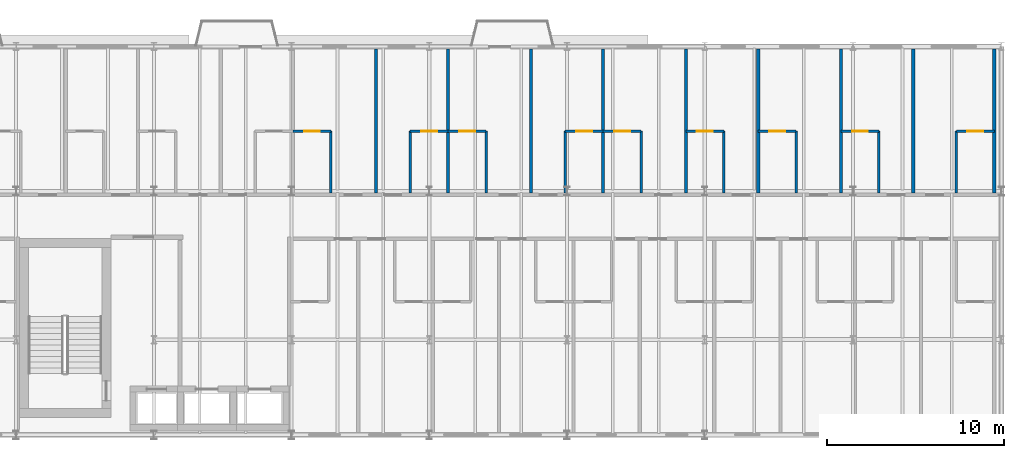
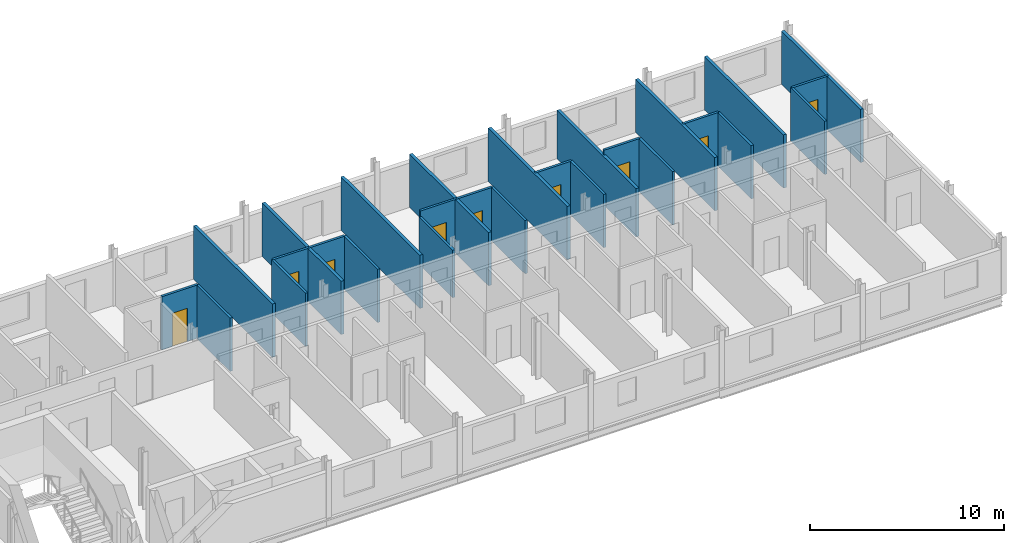
# One storey, part 31 of 36: 27 walls, 9 doors, 9 openings.
"""IFC4 building model written with IfcOpenShell, lengths in metres."""

from ifc_helpers import new_model, si_unit, direction, frame, frame_2d, origin, place, context, subcontext, project, spatial, rectangle, extrude, material, layer, layer_set, type_object, element, fill, save


model = new_model("IFC4")

# Units and contexts
model_context = context("Model", 3, precision=1e-05, world=origin(), true_north=direction((0.0, 1.0)))
body_context = subcontext(model_context, "Body", "Model", "MODEL_VIEW")
ifc_project = project(units=[si_unit("LENGTHUNIT", "METRE"), si_unit("AREAUNIT", "SQUARE_METRE"), si_unit("VOLUMEUNIT", "CUBIC_METRE"), si_unit("PLANEANGLEUNIT", "RADIAN"), si_unit("MASSUNIT", "GRAM", prefix="KILO")], contexts=[model_context])

# Site, building, storey
site_placement = place(None, origin())
site = spatial("IfcSite", under=ifc_project, at=site_placement, CompositionType="ELEMENT")
building_placement = place(site_placement, origin())
building = spatial("IfcBuilding", under=site, at=building_placement, Name="Sefraquen Railside Congress Hotel", CompositionType="ELEMENT")
storey_placement = place(building_placement, frame((0.0, 0.0, 28.199951171875)))
storey = spatial("IfcBuildingStorey", under=building, at=storey_placement, Name="L06", CompositionType="ELEMENT", Elevation=28.199951171875)

# Wall
ifc_material_1 = material(Name="Moisture-resistant gypsum board", Category="gypsum")
ifc_layer_1 = layer(ifc_material_1, 0.139892578125)
ifc_layer_set_1 = layer_set([ifc_layer_1], Name="Moisture-resistant gypsum board")
wall_type_1 = type_object("IfcWallType", Name="TW-PW-140", PredefinedType="PARTITIONING", material=ifc_layer_set_1)
wall_1_placement = place(storey_placement, frame((82.031982421875, 109.699951171875, 0.0), z_axis=(0.0, 0.0, 1.0), x_axis=(0.0, 1.0, 0.0)))
element("IfcWall", 1, at=wall_1_placement, inside=storey, type_object=wall_type_1, Name="En-suite bathroom east wall RM-014", PredefinedType="PARTITIONING", context=body_context, shape_type="SweptSolid", body=[
    extrude(rectangle(XDim=3.5, YDim=0.139892578125, at=frame_2d((1.75, 0.0))), origin(), (0.0, 0.0, 1.0), 3.360107421875),
])

# Wall, opening, door
wall_2_placement = place(storey_placement, frame((79.882080078125, 113.199951171875, 0.0), z_axis=(0.0, 0.0, 1.0), x_axis=(1.0, 0.0, 0.0)))
wall_2 = element("IfcWall", 2, at=wall_2_placement, inside=storey, type_object=wall_type_1, Name="En-suite bathroom north wall RM-014", PredefinedType="PARTITIONING", context=body_context, shape_type="SweptSolid", body=[
    extrude(rectangle(XDim=2.14990234375, YDim=0.139892578125, at=frame_2d((1.074951171875, 0.0))), origin(), (0.0, 0.0, 1.0), 3.360107421875),
])
opening_1_placement = place(wall_2_placement, frame((0.625, 0.0, 0.0)))
opening_1 = element("IfcOpeningElement", 3, at=opening_1_placement, cuts=wall_2, Name="Opening ID-02", PredefinedType="OPENING", context=body_context, shape_type="SweptSolid", body=[
    extrude(rectangle(XDim=0.89990234375, YDim=2.10009765625, at=frame_2d((0.449951171875, 1.050048828125))), frame((0.0, 0.079833984375, 0.0), z_axis=(0.0, -1.0, 0.0), x_axis=(1.0, 0.0, 0.0)), (0.0, 0.0, 1.0), 0.159912109375),
])
ifc_material_2 = material(Name="Lacquered cedar joinery", Category="wood")
door_type = type_object("IfcDoorType", Name="TD-ID-02", OperationType="NOTDEFINED", PredefinedType="DOOR", material=ifc_material_2)
door_1_placement = place(opening_1_placement, origin())
door_1 = element("IfcDoor", 4, at=door_1_placement, inside=storey, type_object=door_type, Name="En-suite bathroom door RM-014", OperationType="SINGLE_SWING_LEFT", OverallHeight=2.10009765625, OverallWidth=0.89990234375, PredefinedType="DOOR", context=body_context, shape_type="SweptSolid", body=[
    extrude(rectangle(XDim=0.89990234375, YDim=2.10009765625, at=frame_2d((0.449951171875, 1.050048828125))), frame((0.0, 0.02490234375, 0.0), z_axis=(0.0, -1.0, 0.0), x_axis=(1.0, 0.0, 0.0)), (0.0, 0.0, 1.0), 0.050048828125),
])
fill(opening_1, door_1)

# Wall
wall_3_placement = place(storey_placement, frame((86.513916015625, 109.699951171875, 0.0), z_axis=(0.0, 0.0, 1.0), x_axis=(0.0, 1.0, 0.0)))
element("IfcWall", 5, at=wall_3_placement, inside=storey, type_object=wall_type_1, Name="En-suite bathroom west wall RM-015", PredefinedType="PARTITIONING", context=body_context, shape_type="SweptSolid", body=[
    extrude(rectangle(XDim=3.5, YDim=0.139892578125, at=frame_2d((1.75, 0.0))), origin(), (0.0, 0.0, 1.0), 3.360107421875),
])

# Wall, opening, door
wall_4_placement = place(storey_placement, frame((86.513916015625, 113.199951171875, 0.0), z_axis=(0.0, 0.0, 1.0), x_axis=(1.0, 0.0, 0.0)))
wall_4 = element("IfcWall", 6, at=wall_4_placement, inside=storey, type_object=wall_type_1, Name="En-suite bathroom north wall RM-015", PredefinedType="PARTITIONING", context=body_context, shape_type="SweptSolid", body=[
    extrude(rectangle(XDim=2.150146484375, YDim=0.139892578125, at=frame_2d((1.0751953125, 0.0))), origin(), (0.0, 0.0, 1.0), 3.360107421875),
])
opening_2_placement = place(wall_4_placement, frame((0.625, 0.0, 0.0)))
opening_2 = element("IfcOpeningElement", 7, at=opening_2_placement, cuts=wall_4, Name="Opening ID-02", PredefinedType="OPENING", context=body_context, shape_type="SweptSolid", body=[
    extrude(rectangle(XDim=0.89990234375, YDim=2.10009765625, at=frame_2d((0.449951171875, 1.050048828125))), frame((0.0, 0.079833984375, 0.0), z_axis=(0.0, -1.0, 0.0), x_axis=(1.0, 0.0, 0.0)), (0.0, 0.0, 1.0), 0.159912109375),
])
door_2_placement = place(opening_2_placement, origin())
door_2 = element("IfcDoor", 8, at=door_2_placement, inside=storey, type_object=door_type, Name="En-suite bathroom door RM-015", OperationType="SINGLE_SWING_LEFT", OverallHeight=2.10009765625, OverallWidth=0.89990234375, PredefinedType="DOOR", context=body_context, shape_type="SweptSolid", body=[
    extrude(rectangle(XDim=0.89990234375, YDim=2.10009765625, at=frame_2d((0.449951171875, 1.050048828125))), frame((0.0, 0.02490234375, 0.0), z_axis=(0.0, -1.0, 0.0), x_axis=(1.0, 0.0, 0.0)), (0.0, 0.0, 1.0), 0.050048828125),
])
fill(opening_2, door_2)

# Wall
wall_5_placement = place(storey_placement, frame((90.81396484375, 109.699951171875, 0.0), z_axis=(0.0, 0.0, 1.0), x_axis=(0.0, 1.0, 0.0)))
element("IfcWall", 9, at=wall_5_placement, inside=storey, type_object=wall_type_1, Name="En-suite bathroom east wall RM-016", PredefinedType="PARTITIONING", context=body_context, shape_type="SweptSolid", body=[
    extrude(rectangle(XDim=3.5, YDim=0.139892578125, at=frame_2d((1.75, 0.0))), origin(), (0.0, 0.0, 1.0), 3.360107421875),
])

# Wall, opening, door
wall_6_placement = place(storey_placement, frame((88.6640625, 113.199951171875, 0.0), z_axis=(0.0, 0.0, 1.0), x_axis=(1.0, 0.0, 0.0)))
wall_6 = element("IfcWall", 10, at=wall_6_placement, inside=storey, type_object=wall_type_1, Name="En-suite bathroom north wall RM-016", PredefinedType="PARTITIONING", context=body_context, shape_type="SweptSolid", body=[
    extrude(rectangle(XDim=2.14990234375, YDim=0.139892578125, at=frame_2d((1.074951171875, 0.0))), origin(), (0.0, 0.0, 1.0), 3.360107421875),
])
opening_3_placement = place(wall_6_placement, frame((0.625, 0.0, 0.0)))
opening_3 = element("IfcOpeningElement", 11, at=opening_3_placement, cuts=wall_6, Name="Opening ID-02", PredefinedType="OPENING", context=body_context, shape_type="SweptSolid", body=[
    extrude(rectangle(XDim=0.89990234375, YDim=2.10009765625, at=frame_2d((0.449951171875, 1.050048828125))), frame((0.0, 0.079833984375, 0.0), z_axis=(0.0, -1.0, 0.0), x_axis=(1.0, 0.0, 0.0)), (0.0, 0.0, 1.0), 0.159912109375),
])
door_3_placement = place(opening_3_placement, origin())
door_3 = element("IfcDoor", 12, at=door_3_placement, inside=storey, type_object=door_type, Name="En-suite bathroom door RM-016", OperationType="SINGLE_SWING_LEFT", OverallHeight=2.10009765625, OverallWidth=0.89990234375, PredefinedType="DOOR", context=body_context, shape_type="SweptSolid", body=[
    extrude(rectangle(XDim=0.89990234375, YDim=2.10009765625, at=frame_2d((0.449951171875, 1.050048828125))), frame((0.0, 0.02490234375, 0.0), z_axis=(0.0, -1.0, 0.0), x_axis=(1.0, 0.0, 0.0)), (0.0, 0.0, 1.0), 0.050048828125),
])
fill(opening_3, door_3)

# Wall
wall_7_placement = place(storey_placement, frame((95.294921875, 109.699951171875, 0.0), z_axis=(0.0, 0.0, 1.0), x_axis=(0.0, 1.0, 0.0)))
element("IfcWall", 13, at=wall_7_placement, inside=storey, type_object=wall_type_1, Name="En-suite bathroom west wall RM-017", PredefinedType="PARTITIONING", context=body_context, shape_type="SweptSolid", body=[
    extrude(rectangle(XDim=3.5, YDim=0.139892578125, at=frame_2d((1.75, 0.0))), origin(), (0.0, 0.0, 1.0), 2.989990234375),
])

# Wall, opening, door
wall_8_placement = place(storey_placement, frame((95.294921875, 113.199951171875, 0.0), z_axis=(0.0, 0.0, 1.0), x_axis=(1.0, 0.0, 0.0)))
wall_8 = element("IfcWall", 14, at=wall_8_placement, inside=storey, type_object=wall_type_1, Name="En-suite bathroom north wall RM-017", PredefinedType="PARTITIONING", context=body_context, shape_type="SweptSolid", body=[
    extrude(rectangle(XDim=2.150146484375, YDim=0.139892578125, at=frame_2d((1.0751953125, 0.0))), origin(), (0.0, 0.0, 1.0), 3.360107421875),
])
opening_4_placement = place(wall_8_placement, frame((0.625, 0.0, 0.0)))
opening_4 = element("IfcOpeningElement", 15, at=opening_4_placement, cuts=wall_8, Name="Opening ID-02", PredefinedType="OPENING", context=body_context, shape_type="SweptSolid", body=[
    extrude(rectangle(XDim=0.89990234375, YDim=2.10009765625, at=frame_2d((0.449951171875, 1.050048828125))), frame((0.0, 0.079833984375, 0.0), z_axis=(0.0, -1.0, 0.0), x_axis=(1.0, 0.0, 0.0)), (0.0, 0.0, 1.0), 0.159912109375),
])
door_4_placement = place(opening_4_placement, origin())
door_4 = element("IfcDoor", 16, at=door_4_placement, inside=storey, type_object=door_type, Name="En-suite bathroom door RM-017", OperationType="SINGLE_SWING_LEFT", OverallHeight=2.10009765625, OverallWidth=0.89990234375, PredefinedType="DOOR", context=body_context, shape_type="SweptSolid", body=[
    extrude(rectangle(XDim=0.89990234375, YDim=2.10009765625, at=frame_2d((0.449951171875, 1.050048828125))), frame((0.0, 0.02490234375, 0.0), z_axis=(0.0, -1.0, 0.0), x_axis=(1.0, 0.0, 0.0)), (0.0, 0.0, 1.0), 0.050048828125),
])
fill(opening_4, door_4)

# Wall
wall_9_placement = place(storey_placement, frame((99.594970703125, 109.699951171875, 0.0), z_axis=(0.0, 0.0, 1.0), x_axis=(0.0, 1.0, 0.0)))
element("IfcWall", 17, at=wall_9_placement, inside=storey, type_object=wall_type_1, Name="En-suite bathroom east wall RM-018", PredefinedType="PARTITIONING", context=body_context, shape_type="SweptSolid", body=[
    extrude(rectangle(XDim=3.5, YDim=0.139892578125, at=frame_2d((1.75, 0.0))), origin(), (0.0, 0.0, 1.0), 3.360107421875),
])

# Wall, opening, door
wall_10_placement = place(storey_placement, frame((97.445068359375, 113.199951171875, 0.0), z_axis=(0.0, 0.0, 1.0), x_axis=(1.0, 0.0, 0.0)))
wall_10 = element("IfcWall", 18, at=wall_10_placement, inside=storey, type_object=wall_type_1, Name="En-suite bathroom north wall RM-018", PredefinedType="PARTITIONING", context=body_context, shape_type="SweptSolid", body=[
    extrude(rectangle(XDim=2.14990234375, YDim=0.139892578125, at=frame_2d((1.074951171875, 0.0))), origin(), (0.0, 0.0, 1.0), 3.360107421875),
])
opening_5_placement = place(wall_10_placement, frame((0.625, 0.0, 0.0)))
opening_5 = element("IfcOpeningElement", 19, at=opening_5_placement, cuts=wall_10, Name="Opening ID-02", PredefinedType="OPENING", context=body_context, shape_type="SweptSolid", body=[
    extrude(rectangle(XDim=0.89990234375, YDim=2.10009765625, at=frame_2d((0.449951171875, 1.050048828125))), frame((0.0, 0.079833984375, 0.0), z_axis=(0.0, -1.0, 0.0), x_axis=(1.0, 0.0, 0.0)), (0.0, 0.0, 1.0), 0.159912109375),
])
door_5_placement = place(opening_5_placement, origin())
door_5 = element("IfcDoor", 20, at=door_5_placement, inside=storey, type_object=door_type, Name="En-suite bathroom door RM-018", OperationType="SINGLE_SWING_LEFT", OverallHeight=2.10009765625, OverallWidth=0.89990234375, PredefinedType="DOOR", context=body_context, shape_type="SweptSolid", body=[
    extrude(rectangle(XDim=0.89990234375, YDim=2.10009765625, at=frame_2d((0.449951171875, 1.050048828125))), frame((0.0, 0.02490234375, 0.0), z_axis=(0.0, -1.0, 0.0), x_axis=(1.0, 0.0, 0.0)), (0.0, 0.0, 1.0), 0.050048828125),
])
fill(opening_5, door_5)

# Wall
wall_11_placement = place(storey_placement, frame((104.285888671875, 109.699951171875, 0.0), z_axis=(0.0, 0.0, 1.0), x_axis=(0.0, 1.0, 0.0)))
element("IfcWall", 21, at=wall_11_placement, inside=storey, type_object=wall_type_1, Name="En-suite bathroom east wall RM-019", PredefinedType="PARTITIONING", context=body_context, shape_type="SweptSolid", body=[
    extrude(rectangle(XDim=3.5, YDim=0.139892578125, at=frame_2d((1.75, 0.0))), origin(), (0.0, 0.0, 1.0), 3.360107421875),
])

# Wall, opening, door
wall_12_placement = place(storey_placement, frame((102.135986328125, 113.199951171875, 0.0), z_axis=(0.0, 0.0, 1.0), x_axis=(1.0, 0.0, 0.0)))
wall_12 = element("IfcWall", 22, at=wall_12_placement, inside=storey, type_object=wall_type_1, Name="En-suite bathroom north wall RM-019", PredefinedType="PARTITIONING", context=body_context, shape_type="SweptSolid", body=[
    extrude(rectangle(XDim=2.14990234375, YDim=0.139892578125, at=frame_2d((1.074951171875, 0.0))), origin(), (0.0, 0.0, 1.0), 3.360107421875),
])
opening_6_placement = place(wall_12_placement, frame((0.625, 0.0, 0.0)))
opening_6 = element("IfcOpeningElement", 23, at=opening_6_placement, cuts=wall_12, Name="Opening ID-02", PredefinedType="OPENING", context=body_context, shape_type="SweptSolid", body=[
    extrude(rectangle(XDim=0.89990234375, YDim=2.10009765625, at=frame_2d((0.449951171875, 1.050048828125))), frame((0.0, 0.079833984375, 0.0), z_axis=(0.0, -1.0, 0.0), x_axis=(1.0, 0.0, 0.0)), (0.0, 0.0, 1.0), 0.159912109375),
])
door_6_placement = place(opening_6_placement, origin())
door_6 = element("IfcDoor", 24, at=door_6_placement, inside=storey, type_object=door_type, Name="En-suite bathroom door RM-019", OperationType="SINGLE_SWING_LEFT", OverallHeight=2.10009765625, OverallWidth=0.89990234375, PredefinedType="DOOR", context=body_context, shape_type="SweptSolid", body=[
    extrude(rectangle(XDim=0.89990234375, YDim=2.10009765625, at=frame_2d((0.449951171875, 1.050048828125))), frame((0.0, 0.02490234375, 0.0), z_axis=(0.0, -1.0, 0.0), x_axis=(1.0, 0.0, 0.0)), (0.0, 0.0, 1.0), 0.050048828125),
])
fill(opening_6, door_6)

# Wall
wall_13_placement = place(storey_placement, frame((108.376953125, 109.699951171875, 0.0), z_axis=(0.0, 0.0, 1.0), x_axis=(0.0, 1.0, 0.0)))
element("IfcWall", 25, at=wall_13_placement, inside=storey, type_object=wall_type_1, Name="En-suite bathroom east wall RM-020", PredefinedType="PARTITIONING", context=body_context, shape_type="SweptSolid", body=[
    extrude(rectangle(XDim=3.5, YDim=0.139892578125, at=frame_2d((1.75, 0.0))), origin(), (0.0, 0.0, 1.0), 3.360107421875),
])

# Wall, opening, door
wall_14_placement = place(storey_placement, frame((106.22705078125, 113.199951171875, 0.0), z_axis=(0.0, 0.0, 1.0), x_axis=(1.0, 0.0, 0.0)))
wall_14 = element("IfcWall", 26, at=wall_14_placement, inside=storey, type_object=wall_type_1, Name="En-suite bathroom north wall RM-020", PredefinedType="PARTITIONING", context=body_context, shape_type="SweptSolid", body=[
    extrude(rectangle(XDim=2.14990234375, YDim=0.139892578125, at=frame_2d((1.074951171875, 0.0))), origin(), (0.0, 0.0, 1.0), 3.360107421875),
])
opening_7_placement = place(wall_14_placement, frame((0.625, 0.0, 0.0)))
opening_7 = element("IfcOpeningElement", 27, at=opening_7_placement, cuts=wall_14, Name="Opening ID-02", PredefinedType="OPENING", context=body_context, shape_type="SweptSolid", body=[
    extrude(rectangle(XDim=0.89990234375, YDim=2.10009765625, at=frame_2d((0.449951171875, 1.050048828125))), frame((0.0, 0.079833984375, 0.0), z_axis=(0.0, -1.0, 0.0), x_axis=(1.0, 0.0, 0.0)), (0.0, 0.0, 1.0), 0.159912109375),
])
door_7_placement = place(opening_7_placement, origin())
door_7 = element("IfcDoor", 28, at=door_7_placement, inside=storey, type_object=door_type, Name="En-suite bathroom door RM-020", OperationType="SINGLE_SWING_LEFT", OverallHeight=2.10009765625, OverallWidth=0.89990234375, PredefinedType="DOOR", context=body_context, shape_type="SweptSolid", body=[
    extrude(rectangle(XDim=0.89990234375, YDim=2.10009765625, at=frame_2d((0.449951171875, 1.050048828125))), frame((0.0, 0.02490234375, 0.0), z_axis=(0.0, -1.0, 0.0), x_axis=(1.0, 0.0, 0.0)), (0.0, 0.0, 1.0), 0.050048828125),
])
fill(opening_7, door_7)

# Wall
wall_15_placement = place(storey_placement, frame((113.068115234375, 109.699951171875, 0.0), z_axis=(0.0, 0.0, 1.0), x_axis=(0.0, 1.0, 0.0)))
element("IfcWall", 29, at=wall_15_placement, inside=storey, type_object=wall_type_1, Name="En-suite bathroom east wall RM-021", PredefinedType="PARTITIONING", context=body_context, shape_type="SweptSolid", body=[
    extrude(rectangle(XDim=3.5, YDim=0.139892578125, at=frame_2d((1.75, 0.0))), origin(), (0.0, 0.0, 1.0), 3.360107421875),
])

# Wall, opening, door
wall_16_placement = place(storey_placement, frame((110.91796875, 113.199951171875, 0.0), z_axis=(0.0, 0.0, 1.0), x_axis=(1.0, 0.0, 0.0)))
wall_16 = element("IfcWall", 30, at=wall_16_placement, inside=storey, type_object=wall_type_1, Name="En-suite bathroom north wall RM-021", PredefinedType="PARTITIONING", context=body_context, shape_type="SweptSolid", body=[
    extrude(rectangle(XDim=2.150146484375, YDim=0.139892578125, at=frame_2d((1.0751953125, 0.0))), origin(), (0.0, 0.0, 1.0), 3.360107421875),
])
opening_8_placement = place(wall_16_placement, frame((0.625, 0.0, 0.0)))
opening_8 = element("IfcOpeningElement", 31, at=opening_8_placement, cuts=wall_16, Name="Opening ID-02", PredefinedType="OPENING", context=body_context, shape_type="SweptSolid", body=[
    extrude(rectangle(XDim=0.89990234375, YDim=2.10009765625, at=frame_2d((0.449951171875, 1.050048828125))), frame((0.0, 0.079833984375, 0.0), z_axis=(0.0, -1.0, 0.0), x_axis=(1.0, 0.0, 0.0)), (0.0, 0.0, 1.0), 0.159912109375),
])
door_8_placement = place(opening_8_placement, origin())
door_8 = element("IfcDoor", 32, at=door_8_placement, inside=storey, type_object=door_type, Name="En-suite bathroom door RM-021", OperationType="SINGLE_SWING_LEFT", OverallHeight=2.10009765625, OverallWidth=0.89990234375, PredefinedType="DOOR", context=body_context, shape_type="SweptSolid", body=[
    extrude(rectangle(XDim=0.89990234375, YDim=2.10009765625, at=frame_2d((0.449951171875, 1.050048828125))), frame((0.0, 0.02490234375, 0.0), z_axis=(0.0, -1.0, 0.0), x_axis=(1.0, 0.0, 0.0)), (0.0, 0.0, 1.0), 0.050048828125),
])
fill(opening_8, door_8)

# Wall
wall_17_placement = place(storey_placement, frame((117.449951171875, 109.699951171875, 0.0), z_axis=(0.0, 0.0, 1.0), x_axis=(0.0, 1.0, 0.0)))
element("IfcWall", 33, at=wall_17_placement, inside=storey, type_object=wall_type_1, Name="En-suite bathroom west wall RM-022", PredefinedType="PARTITIONING", context=body_context, shape_type="SweptSolid", body=[
    extrude(rectangle(XDim=3.5, YDim=0.139892578125, at=frame_2d((1.75, 0.0))), origin(), (0.0, 0.0, 1.0), 3.360107421875),
])

# Wall, opening, door
wall_18_placement = place(storey_placement, frame((117.449951171875, 113.199951171875, 0.0), z_axis=(0.0, 0.0, 1.0), x_axis=(1.0, 0.0, 0.0)))
wall_18 = element("IfcWall", 34, at=wall_18_placement, inside=storey, type_object=wall_type_1, Name="En-suite bathroom north wall RM-022", PredefinedType="PARTITIONING", context=body_context, shape_type="SweptSolid", body=[
    extrude(rectangle(XDim=2.150146484375, YDim=0.139892578125, at=frame_2d((1.0751953125, 0.0))), origin(), (0.0, 0.0, 1.0), 3.360107421875),
])
opening_9_placement = place(wall_18_placement, frame((0.625, 0.0, 0.0)))
opening_9 = element("IfcOpeningElement", 35, at=opening_9_placement, cuts=wall_18, Name="Opening ID-02", PredefinedType="OPENING", context=body_context, shape_type="SweptSolid", body=[
    extrude(rectangle(XDim=0.89990234375, YDim=2.10009765625, at=frame_2d((0.449951171875, 1.050048828125))), frame((0.0, 0.079833984375, 0.0), z_axis=(0.0, -1.0, 0.0), x_axis=(1.0, 0.0, 0.0)), (0.0, 0.0, 1.0), 0.159912109375),
])
door_9_placement = place(opening_9_placement, origin())
door_9 = element("IfcDoor", 36, at=door_9_placement, inside=storey, type_object=door_type, Name="En-suite bathroom door RM-022", OperationType="SINGLE_SWING_LEFT", OverallHeight=2.10009765625, OverallWidth=0.89990234375, PredefinedType="DOOR", context=body_context, shape_type="SweptSolid", body=[
    extrude(rectangle(XDim=0.89990234375, YDim=2.10009765625, at=frame_2d((0.449951171875, 1.050048828125))), frame((0.0, 0.02490234375, 0.0), z_axis=(0.0, -1.0, 0.0), x_axis=(1.0, 0.0, 0.0)), (0.0, 0.0, 1.0), 0.050048828125),
])
fill(opening_9, door_9)

# Walls
ifc_material_3 = material(Name="Acoustic gypsum board on metal stud", Category="gypsum")
ifc_layer_2 = layer(ifc_material_3, 0.179931640625)
ifc_layer_set_2 = layer_set([ifc_layer_2], Name="Acoustic gypsum board on metal stud")
wall_type_2 = type_object("IfcWallType", Name="TW-PW-180", PredefinedType="PARTITIONING", material=ifc_layer_set_2)
for number, where, z_axis, x_axis, name in (
    (37, (84.572998046875, 109.699951171875, 0.0), (0.0, 0.0, 1.0), (0.0, 1.0, 0.0), "Guest room demising wall RM-014"),
    (38, (88.6640625, 109.699951171875, 0.0), (0.0, 0.0, 1.0), (0.0, 1.0, 0.0), "Guest room demising wall RM-015"),
    (39, (93.35498046875, 109.699951171875, 0.0), (0.0, 0.0, 1.0), (0.0, 1.0, 0.0), "Guest room demising wall RM-016"),
    (40, (97.445068359375, 109.699951171875, 0.0), (0.0, 0.0, 1.0), (0.0, 1.0, 0.0), "Guest room demising wall RM-017"),
    (41, (102.135986328125, 109.699951171875, 0.0), (0.0, 0.0, 1.0), (0.0, 1.0, 0.0), "Guest room demising wall RM-018"),
):
    element("IfcWall", number, at=place(storey_placement, frame(where, z_axis=z_axis, x_axis=x_axis)), inside=storey, type_object=wall_type_2, Name=name, PredefinedType="PARTITIONING", context=body_context, shape_type="SweptSolid", body=[
        extrude(rectangle(XDim=8.150146484375, YDim=0.179931640625, at=frame_2d((4.0751953125, 0.0))), origin(), (0.0, 0.0, 1.0), 3.360107421875),
    ])
wall_19_placement = place(storey_placement, frame((106.22705078125, 109.699951171875, 0.0), z_axis=(0.0, 0.0, 1.0), x_axis=(0.0, 1.0, 0.0)))
element("IfcWall", 42, at=wall_19_placement, inside=storey, type_object=wall_type_2, Name="Guest room demising wall RM-019", PredefinedType="PARTITIONING", context=body_context, shape_type="SweptSolid", body=[
    extrude(rectangle(XDim=8.150146484375, YDim=0.179931640625, at=frame_2d((4.0751953125, 0.0))), origin(), (0.0, 0.0, 1.0), 3.050048828125),
])
for number, where, z_axis, x_axis, name in (
    (43, (110.91796875, 109.699951171875, 0.0), (0.0, 0.0, 1.0), (0.0, 1.0, 0.0), "Guest room demising wall RM-020"),
    (44, (115.009033203125, 109.699951171875, 0.0), (0.0, 0.0, 1.0), (0.0, 1.0, 0.0), "Guest room demising wall RM-021"),
    (45, (119.60009765625, 109.699951171875, 0.0), (0.0, 0.0, 1.0), (0.0, 1.0, 0.0), "Guest room demising wall RM-022"),
):
    element("IfcWall", number, at=place(storey_placement, frame(where, z_axis=z_axis, x_axis=x_axis)), inside=storey, type_object=wall_type_2, Name=name, PredefinedType="PARTITIONING", context=body_context, shape_type="SweptSolid", body=[
        extrude(rectangle(XDim=8.150146484375, YDim=0.179931640625, at=frame_2d((4.0751953125, 0.0))), origin(), (0.0, 0.0, 1.0), 3.360107421875),
    ])

save(model, "model.ifc")
